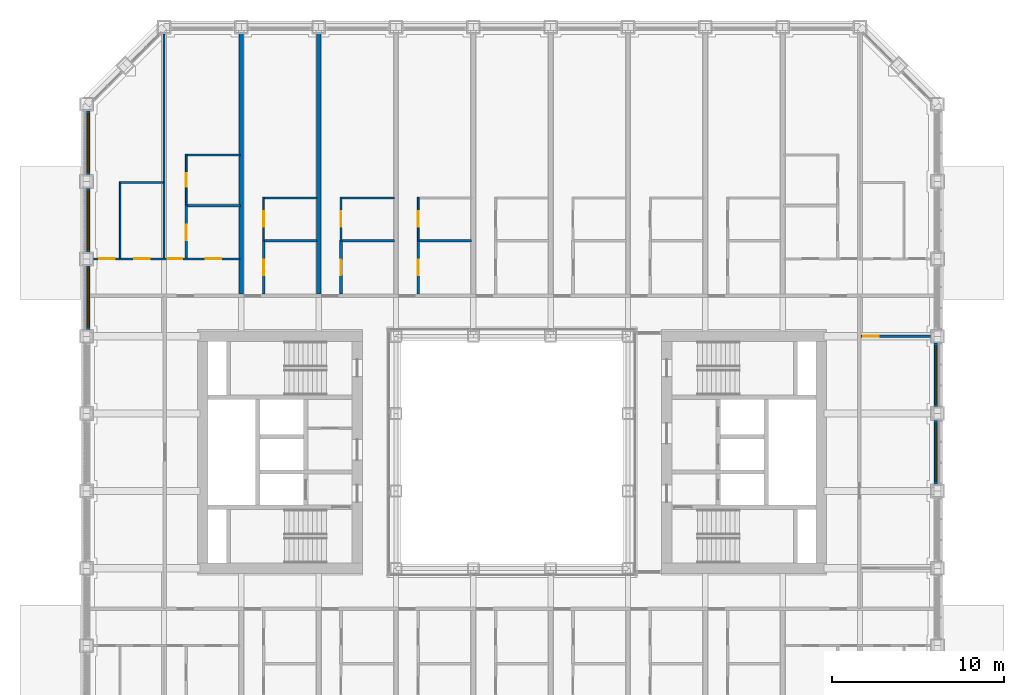
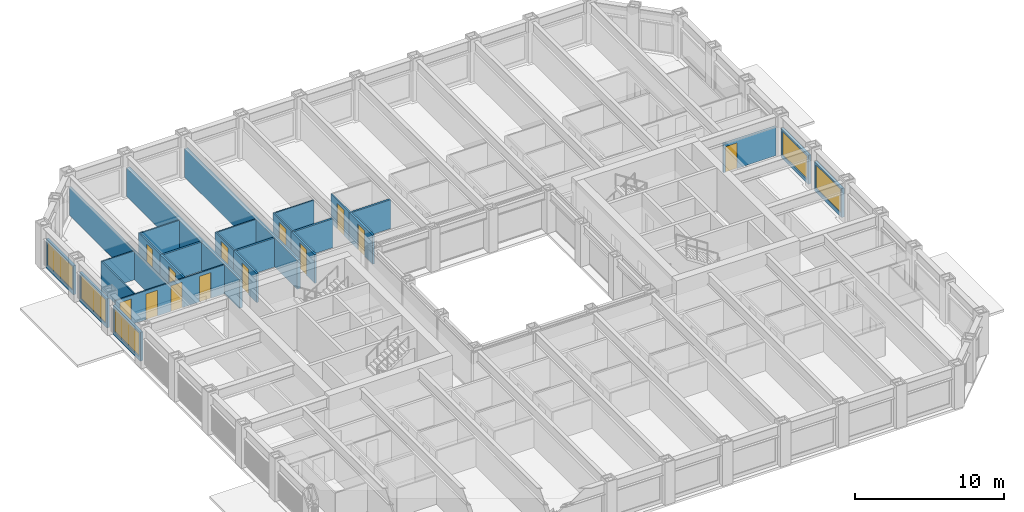
# One storey, part 16 of 24: 27 walls, 13 doors, 5 windows, 18 openings.
"""IFC4 building model written with IfcOpenShell, lengths in metres."""

import ifcopenshell
import ifcopenshell.guid

model = None  # the IFC model being written
_history = None  # IfcOwnerHistory: only IFC2X3 demands one
_inside = {}  # id of a spatial element -> (the spatial element, [elements in it])
_under = {}  # id of a project, library or spatial element -> (it, [spatial elements below it])
_declared = {}  # id of a project -> (the project, [libraries it declares])
_typed = {}  # id of a type object -> (the type object, [elements of that type])
_made_of = {}  # id of a material, layer set ... -> (it, [elements and type objects made of it])


def new_model(schema):
    """Start an empty IFC model of exactly this schema.

    Asked for "IFC4X3", IfcOpenShell would pick the latest addendum, in which some entities
    have other attributes; the version numbers below select the first issue.
    IFC2X3 requires an IfcOwnerHistory on every rooted entity: one is made here for all.
    """
    global model, _history
    if schema == "IFC4X3":
        model = ifcopenshell.file(schema_version=(4, 3, 0, 0))
    else:
        model = ifcopenshell.file(schema=schema)
    _inside.clear()
    _under.clear()
    _declared.clear()
    _typed.clear()
    _made_of.clear()
    _history = None
    if model.schema == "IFC2X3":
        org = make("IfcOrganization", Name="unknown")
        user = make(
            "IfcPersonAndOrganization",
            ThePerson=make("IfcPerson", FamilyName="unknown"),
            TheOrganization=org,
        )
        app = make(
            "IfcApplication",
            ApplicationDeveloper=org,
            Version="unknown",
            ApplicationFullName="unknown",
            ApplicationIdentifier="unknown",
        )
        _history = make(
            "IfcOwnerHistory",
            OwningUser=user,
            OwningApplication=app,
            ChangeAction="ADDED",
            CreationDate=0,
        )
    return model


def make(cls, **values):
    """One entity of the class cls with the attributes given. An attribute that is None is left unset."""
    return model.create_entity(
        cls, **{name: value for name, value in values.items() if value is not None}
    )


def rooted(cls, **values):
    """An entity with a GlobalId (a new one), such as an element, a storey or a relation."""
    return make(cls, GlobalId=ifcopenshell.guid.new(), OwnerHistory=_history, **values)


def si_unit(unit_type, name, prefix=None):
    """IfcSIUnit, for example si_unit("LENGTHUNIT", "METRE", prefix="MILLI")."""
    return make("IfcSIUnit", UnitType=unit_type, Prefix=prefix, Name=name)


def assignment(units):
    """IfcUnitAssignment: the units of a project."""
    return None if units is None else make("IfcUnitAssignment", Units=units)


def point(xyz):
    """IfcCartesianPoint."""
    return None if xyz is None else make("IfcCartesianPoint", Coordinates=xyz)


def direction(xyz):
    """IfcDirection."""
    return None if xyz is None else make("IfcDirection", DirectionRatios=xyz)


def frame(location, z_axis=None, x_axis=None):
    """IfcAxis2Placement3D, a coordinate frame: its origin and axes. An axis left out is left unset."""
    return make(
        "IfcAxis2Placement3D",
        Location=point(location),
        Axis=direction(z_axis),
        RefDirection=direction(x_axis),
    )


def frame_2d(location, x_axis=None):
    """IfcAxis2Placement2D, a coordinate frame in the plane: its origin and x axis."""
    return make(
        "IfcAxis2Placement2D", Location=point(location), RefDirection=direction(x_axis)
    )


def origin():
    """The frame at (0, 0, 0) with its axes left unset."""
    return frame((0.0, 0.0, 0.0))


def place(relative_to, where):
    """IfcLocalPlacement: puts the frame where relative to a parent placement (None: the world)."""
    return make(
        "IfcLocalPlacement", PlacementRelTo=relative_to, RelativePlacement=where
    )


def context(
    kind, dimensions, precision=None, world=None, true_north=None, identifier=None
):
    """IfcGeometricRepresentationContext, for example the 3D "Model" context."""
    return make(
        "IfcGeometricRepresentationContext",
        ContextIdentifier=identifier,
        ContextType=kind,
        CoordinateSpaceDimension=dimensions,
        Precision=precision,
        WorldCoordinateSystem=world,
        TrueNorth=true_north,
    )


def subcontext(parent, identifier, kind, view, scale=None):
    """IfcGeometricRepresentationSubContext, for example "Body" below "Model"."""
    return make(
        "IfcGeometricRepresentationSubContext",
        ContextIdentifier=identifier,
        ContextType=kind,
        ParentContext=parent,
        TargetScale=scale,
        TargetView=view,
    )


def project(units=None, contexts=None):
    """IfcProject with its units and contexts."""
    return rooted(
        "IfcProject",
        Name="project",
        RepresentationContexts=contexts,
        UnitsInContext=assignment(units),
    )


def spatial(cls, under=None, at=None, **own):
    """A site, building, storey or space (cls), placed at a placement, below another one or the project."""
    s = rooted(cls, ObjectPlacement=at, **own)
    if under is not None:
        _under.setdefault(under.id(), (under, []))[1].append(s)
    return s


def profile(cls, at=None, kind="AREA", **sizes):
    """A parametric profile (cls). Its sizes go by their IFC names, for example OverallWidth=200.0."""
    return make(cls, ProfileType=kind, Position=at, **sizes)


def rectangle(**sizes):
    """IfcRectangleProfileDef."""
    return profile("IfcRectangleProfileDef", **sizes)


def extrude(swept, where, along, depth):
    """IfcExtrudedAreaSolid: the profile swept, set in the frame where, extruded along a direction by depth."""
    return make(
        "IfcExtrudedAreaSolid",
        SweptArea=swept,
        Position=where,
        ExtrudedDirection=direction(along),
        Depth=depth,
    )


def shape(context_of_items, identifier, shape_type, items):
    """IfcShapeRepresentation: the items that make up one representation, for example the "Body"."""
    return make(
        "IfcShapeRepresentation",
        ContextOfItems=context_of_items,
        RepresentationIdentifier=identifier,
        RepresentationType=shape_type,
        Items=items,
    )


def material(Name=None, Category=None):
    """IfcMaterial."""
    return make("IfcMaterial", Name=Name, Category=Category)


def layer(
    of_material, thickness, ventilated=None, Name=None, Category=None, Priority=None
):
    """IfcMaterialLayer: one layer of a wall or slab, of a material (None: an air gap)."""
    return make(
        "IfcMaterialLayer",
        Material=of_material,
        LayerThickness=thickness,
        IsVentilated=ventilated,
        Name=Name,
        Category=Category,
        Priority=Priority,
    )


def layer_set(layers, Name=None):
    """IfcMaterialLayerSet."""
    return make("IfcMaterialLayerSet", MaterialLayers=layers, LayerSetName=Name)


def made_of(thing, what):
    """Note that an element or type object is made of a material, layer set ...; save() writes the relation."""
    if what is not None:
        _made_of.setdefault(what.id(), (what, []))[1].append(thing)
    return thing


def type_object(cls, material=None, **own):
    """A type object (cls), such as IfcWallType, which elements share."""
    return made_of(rooted(cls, **own), material)


def element(
    cls,
    number,
    at=None,
    inside=None,
    cuts=None,
    type_object=None,
    material=None,
    context=None,
    identifier="Body",
    shape_type=None,
    held_by="IfcProductDefinitionShape",
    body=None,
    shapes=None,
    **own,
):
    """One element of the class cls, such as IfcWall. Its Tag is "e" and its number.

    at: its placement. inside: the storey or other place that contains it. cuts: it is an
    opening in that element (IfcRelVoidsElement). A single representation is given by context,
    identifier, shape_type and body (its items); several are given by shapes. held_by: the class
    of the entity that holds the representations. save() writes the other relations.
    """
    e = rooted(cls, Tag="e%d" % number, ObjectPlacement=at, **own)
    if body is not None:
        shapes = [shape(context, identifier, shape_type, body)]
    if shapes is not None:
        e.Representation = make(held_by, Representations=shapes)
    if inside is not None:
        _inside.setdefault(inside.id(), (inside, []))[1].append(e)
    if cuts is not None:
        rooted(
            "IfcRelVoidsElement", RelatingBuildingElement=cuts, RelatedOpeningElement=e
        )
    if type_object is not None:
        _typed.setdefault(type_object.id(), (type_object, []))[1].append(e)
    return made_of(e, material)


def fill(opening, filler):
    """IfcRelFillsElement: the door or window that sits in an opening."""
    return rooted(
        "IfcRelFillsElement",
        RelatingOpeningElement=opening,
        RelatedBuildingElement=filler,
    )


def aggregate(whole, parts):
    """IfcRelAggregates: a whole, such as a stair, and the parts it consists of."""
    return rooted("IfcRelAggregates", RelatingObject=whole, RelatedObjects=parts)


def save(model, path):
    """Write the relations noted so far, then the file.

    IfcRelAggregates (storeys below a building ...), IfcRelContainedInSpatialStructure (elements
    in a storey), IfcRelDefinesByType, IfcRelAssociatesMaterial and IfcRelDeclares: one each for
    every whole, place, type object, material and project.
    """
    for whole, parts in _under.values():
        aggregate(whole, parts)
    for where, things in _inside.values():
        rooted(
            "IfcRelContainedInSpatialStructure",
            RelatedElements=things,
            RelatingStructure=where,
        )
    for kind, things in _typed.values():
        rooted("IfcRelDefinesByType", RelatedObjects=things, RelatingType=kind)
    for what, things in _made_of.values():
        rooted("IfcRelAssociatesMaterial", RelatedObjects=things, RelatingMaterial=what)
    for by, libraries in _declared.values():
        rooted("IfcRelDeclares", RelatingContext=by, RelatedDefinitions=libraries)
    model.write(path)


model = new_model("IFC4")

# Units and contexts
model_context = context("Model", 3, precision=1e-05, world=origin(), true_north=direction((0.0, 1.0)))
body_context = subcontext(model_context, "Body", "Model", "MODEL_VIEW")
ifc_project = project(units=[si_unit("LENGTHUNIT", "METRE"), si_unit("AREAUNIT", "SQUARE_METRE"), si_unit("VOLUMEUNIT", "CUBIC_METRE"), si_unit("PLANEANGLEUNIT", "RADIAN"), si_unit("MASSUNIT", "GRAM", prefix="KILO")], contexts=[model_context])

# Site, building, storey
site_placement = place(None, origin())
site = spatial("IfcSite", under=ifc_project, at=site_placement, CompositionType="ELEMENT")
building_placement = place(site_placement, origin())
building = spatial("IfcBuilding", under=site, at=building_placement, Name="Msasa Ring Tower", CompositionType="ELEMENT")
storey_placement = place(building_placement, frame((0.0, 0.0, 26.5)))
storey = spatial("IfcBuildingStorey", under=building, at=storey_placement, Name="L05", CompositionType="ELEMENT", Elevation=26.5)

# Wall, opening, window
ifc_material_1 = material(Name="Terracotta rainscreen on blockwork", Category="masonry")
ifc_layer_1 = layer(ifc_material_1, 0.199951171875)
ifc_layer_set_1 = layer_set([ifc_layer_1], Name="FW1 TERRACOTTA-LINED INFILL BAY WALL 200")
wall_type_1 = type_object("IfcWallType", Name="FW1 TERRACOTTA-LINED INFILL BAY WALL 200", PredefinedType="SOLIDWALL", material=ifc_layer_set_1)
wall_1_placement = place(storey_placement, frame((24.64990234375, -1.844970703125, 0.0), z_axis=(0.0, 0.0, 1.0), x_axis=(0.0, 1.0, 0.0)))
wall_1 = element("IfcWall", 1, at=wall_1_placement, inside=storey, type_object=wall_type_1, Name="Infill bay wall E L05 15", PredefinedType="SOLIDWALL", context=body_context, shape_type="SweptSolid", body=[
    extrude(rectangle(XDim=3.68994140625, YDim=0.199951171875, at=frame_2d((1.844970703125, 0.0))), origin(), (0.0, 0.0, 1.0), 2.37890625),
])
opening_1_placement = place(wall_1_placement, frame((0.14501953125, 0.0, 0.300048828125)))
opening_1 = element("IfcOpeningElement", 2, at=opening_1_placement, cuts=wall_1, Name="Opening WN1", PredefinedType="OPENING", context=body_context, shape_type="SweptSolid", body=[
    extrude(rectangle(XDim=3.39990234375, YDim=1.928955078125, at=frame_2d((1.699951171875, 0.96435546875))), frame((0.0, 0.10986328125, 0.0), z_axis=(0.0, -1.0, 0.0), x_axis=(1.0, 0.0, 0.0)), (0.0, 0.0, 1.0), 0.219970703125),
])
ifc_material_2 = material(Name="Aluminium frame with clear glass", Category="aluminium")
window_type = type_object("IfcWindowType", Name="WN1 RESIDENCE WINDOW 3400x1929", PartitioningType="SINGLE_PANEL", PredefinedType="WINDOW", material=ifc_material_2)
window_1_placement = place(opening_1_placement, origin())
window_1 = element("IfcWindow", 3, at=window_1_placement, inside=storey, type_object=window_type, Name="Window E L05 15", OverallHeight=1.928955078125, OverallWidth=3.39990234375, PartitioningType="SINGLE_PANEL", PredefinedType="WINDOW", context=body_context, shape_type="SweptSolid", body=[
    extrude(rectangle(XDim=3.39990234375, YDim=1.928955078125, at=frame_2d((1.699951171875, 0.96435546875))), frame((0.0, 0.030029296875, 0.0), z_axis=(0.0, -1.0, 0.0), x_axis=(1.0, 0.0, 0.0)), (0.0, 0.0, 1.0), 0.06005859375),
])
fill(opening_1, window_1)

wall_2_placement = place(storey_placement, frame((24.64990234375, 2.655029296875, 0.0), z_axis=(0.0, 0.0, 1.0), x_axis=(0.0, 1.0, 0.0)))
wall_2 = element("IfcWall", 4, at=wall_2_placement, inside=storey, type_object=wall_type_1, Name="Infill bay wall E L05 16", PredefinedType="SOLIDWALL", context=body_context, shape_type="SweptSolid", body=[
    extrude(rectangle(XDim=3.68994140625, YDim=0.199951171875, at=frame_2d((1.844970703125, 0.0))), origin(), (0.0, 0.0, 1.0), 2.37890625),
])
opening_2_placement = place(wall_2_placement, frame((0.14501953125, 0.0, 0.300048828125)))
opening_2 = element("IfcOpeningElement", 5, at=opening_2_placement, cuts=wall_2, Name="Opening WN1", PredefinedType="OPENING", context=body_context, shape_type="SweptSolid", body=[
    extrude(rectangle(XDim=3.39990234375, YDim=1.928955078125, at=frame_2d((1.699951171875, 0.96435546875))), frame((0.0, 0.10986328125, 0.0), z_axis=(0.0, -1.0, 0.0), x_axis=(1.0, 0.0, 0.0)), (0.0, 0.0, 1.0), 0.219970703125),
])
window_2_placement = place(opening_2_placement, origin())
window_2 = element("IfcWindow", 6, at=window_2_placement, inside=storey, type_object=window_type, Name="Window E L05 16", OverallHeight=1.928955078125, OverallWidth=3.39990234375, PartitioningType="SINGLE_PANEL", PredefinedType="WINDOW", context=body_context, shape_type="SweptSolid", body=[
    extrude(rectangle(XDim=3.39990234375, YDim=1.928955078125, at=frame_2d((1.699951171875, 0.96435546875))), frame((0.0, 0.030029296875, 0.0), z_axis=(0.0, -1.0, 0.0), x_axis=(1.0, 0.0, 0.0)), (0.0, 0.0, 1.0), 0.06005859375),
])
fill(opening_2, window_2)

wall_3_placement = place(storey_placement, frame((-24.64990234375, 7.155029296875, 0.0), z_axis=(0.0, 0.0, 1.0), x_axis=(0.0, 1.0, 0.0)))
wall_3 = element("IfcWall", 7, at=wall_3_placement, inside=storey, type_object=wall_type_1, Name="Infill bay wall W L05 39", PredefinedType="SOLIDWALL", context=body_context, shape_type="SweptSolid", body=[
    extrude(rectangle(XDim=3.68994140625, YDim=0.199951171875, at=frame_2d((1.844970703125, 0.0))), origin(), (0.0, 0.0, 1.0), 2.37890625),
])
opening_3_placement = place(wall_3_placement, frame((0.14501953125, 0.0, 0.300048828125)))
opening_3 = element("IfcOpeningElement", 8, at=opening_3_placement, cuts=wall_3, Name="Opening WN1", PredefinedType="OPENING", context=body_context, shape_type="SweptSolid", body=[
    extrude(rectangle(XDim=3.39990234375, YDim=1.928955078125, at=frame_2d((1.699951171875, 0.96435546875))), frame((0.0, 0.10986328125, 0.0), z_axis=(0.0, -1.0, 0.0), x_axis=(1.0, 0.0, 0.0)), (0.0, 0.0, 1.0), 0.219970703125),
])
window_3_placement = place(opening_3_placement, origin())
window_3 = element("IfcWindow", 9, at=window_3_placement, inside=storey, type_object=window_type, Name="Window W L05 39", OverallHeight=1.928955078125, OverallWidth=3.39990234375, PartitioningType="SINGLE_PANEL", PredefinedType="WINDOW", context=body_context, shape_type="SweptSolid", body=[
    extrude(rectangle(XDim=3.39990234375, YDim=1.928955078125, at=frame_2d((1.699951171875, 0.96435546875))), frame((0.0, 0.030029296875, 0.0), z_axis=(0.0, -1.0, 0.0), x_axis=(1.0, 0.0, 0.0)), (0.0, 0.0, 1.0), 0.06005859375),
])
fill(opening_3, window_3)

wall_4_placement = place(storey_placement, frame((-24.64990234375, 11.655029296875, 0.0), z_axis=(0.0, 0.0, 1.0), x_axis=(0.0, 1.0, 0.0)))
wall_4 = element("IfcWall", 10, at=wall_4_placement, inside=storey, type_object=wall_type_1, Name="Infill bay wall W L05 40", PredefinedType="SOLIDWALL", context=body_context, shape_type="SweptSolid", body=[
    extrude(rectangle(XDim=3.68994140625, YDim=0.199951171875, at=frame_2d((1.844970703125, 0.0))), origin(), (0.0, 0.0, 1.0), 2.37890625),
])
opening_4_placement = place(wall_4_placement, frame((0.14501953125, 0.0, 0.300048828125)))
opening_4 = element("IfcOpeningElement", 11, at=opening_4_placement, cuts=wall_4, Name="Opening WN1", PredefinedType="OPENING", context=body_context, shape_type="SweptSolid", body=[
    extrude(rectangle(XDim=3.39990234375, YDim=1.928955078125, at=frame_2d((1.699951171875, 0.96435546875))), frame((0.0, 0.10986328125, 0.0), z_axis=(0.0, -1.0, 0.0), x_axis=(1.0, 0.0, 0.0)), (0.0, 0.0, 1.0), 0.219970703125),
])
window_4_placement = place(opening_4_placement, origin())
window_4 = element("IfcWindow", 12, at=window_4_placement, inside=storey, type_object=window_type, Name="Window W L05 40", OverallHeight=1.928955078125, OverallWidth=3.39990234375, PartitioningType="SINGLE_PANEL", PredefinedType="WINDOW", context=body_context, shape_type="SweptSolid", body=[
    extrude(rectangle(XDim=3.39990234375, YDim=1.928955078125, at=frame_2d((1.699951171875, 0.96435546875))), frame((0.0, 0.030029296875, 0.0), z_axis=(0.0, -1.0, 0.0), x_axis=(1.0, 0.0, 0.0)), (0.0, 0.0, 1.0), 0.06005859375),
])
fill(opening_4, window_4)

wall_5_placement = place(storey_placement, frame((-24.64990234375, 16.155029296875, 0.0), z_axis=(0.0, 0.0, 1.0), x_axis=(0.0, 1.0, 0.0)))
wall_5 = element("IfcWall", 13, at=wall_5_placement, inside=storey, type_object=wall_type_1, Name="Infill bay wall W L05 41", PredefinedType="SOLIDWALL", context=body_context, shape_type="SweptSolid", body=[
    extrude(rectangle(XDim=3.68994140625, YDim=0.199951171875, at=frame_2d((1.844970703125, 0.0))), origin(), (0.0, 0.0, 1.0), 2.37890625),
])
opening_5_placement = place(wall_5_placement, frame((0.14501953125, 0.0, 0.300048828125)))
opening_5 = element("IfcOpeningElement", 14, at=opening_5_placement, cuts=wall_5, Name="Opening WN1", PredefinedType="OPENING", context=body_context, shape_type="SweptSolid", body=[
    extrude(rectangle(XDim=3.39990234375, YDim=1.928955078125, at=frame_2d((1.699951171875, 0.96435546875))), frame((0.0, 0.10986328125, 0.0), z_axis=(0.0, -1.0, 0.0), x_axis=(1.0, 0.0, 0.0)), (0.0, 0.0, 1.0), 0.219970703125),
])
window_5_placement = place(opening_5_placement, origin())
window_5 = element("IfcWindow", 15, at=window_5_placement, inside=storey, type_object=window_type, Name="Window W L05 41", OverallHeight=1.928955078125, OverallWidth=3.39990234375, PartitioningType="SINGLE_PANEL", PredefinedType="WINDOW", context=body_context, shape_type="SweptSolid", body=[
    extrude(rectangle(XDim=3.39990234375, YDim=1.928955078125, at=frame_2d((1.699951171875, 0.96435546875))), frame((0.0, 0.030029296875, 0.0), z_axis=(0.0, -1.0, 0.0), x_axis=(1.0, 0.0, 0.0)), (0.0, 0.0, 1.0), 0.06005859375),
])
fill(opening_5, window_5)

# Wall, openings, doors
ifc_material_3 = material(Name="Gypsum board on steel studs", Category="steel")
ifc_layer_2 = layer(ifc_material_3, 0.10009765625)
ifc_layer_set_2 = layer_set([ifc_layer_2], Name="PT2 STUD PARTITION 100")
wall_type_2 = type_object("IfcWallType", Name="PT2 STUD PARTITION 100", PredefinedType="PARTITIONING", material=ifc_layer_set_2)
wall_6_placement = place(storey_placement, frame((-24.35009765625, 11.25, 0.0), z_axis=(0.0, 0.0, 1.0), x_axis=(1.0, 0.0, 0.0)))
wall_6 = element("IfcWall", 16, at=wall_6_placement, inside=storey, type_object=wall_type_2, Name="Partition L05-UN00HY", PredefinedType="PARTITIONING", context=body_context, shape_type="SweptSolid", body=[
    extrude(rectangle(XDim=8.5, YDim=0.10009765625, at=frame_2d((4.25, 0.0))), origin(), (0.0, 0.0, 1.0), 2.373291015625),
])
opening_6_placement = place(wall_6_placement, frame((2.375, 0.0, 0.0)))
opening_6 = element("IfcOpeningElement", 17, at=opening_6_placement, cuts=wall_6, Name="Opening RA-013", PredefinedType="OPENING", context=body_context, shape_type="SweptSolid", body=[
    extrude(rectangle(XDim=0.89990234375, YDim=2.10009765625, at=frame_2d((0.449951171875, 1.050048828125))), frame((0.0, 0.06005859375, 0.0), z_axis=(0.0, -1.0, 0.0), x_axis=(1.0, 0.0, 0.0)), (0.0, 0.0, 1.0), 0.1201171875),
])
opening_7_placement = place(wall_6_placement, frame((0.35009765625, 0.0, 0.0)))
opening_7 = element("IfcOpeningElement", 18, at=opening_7_placement, cuts=wall_6, Name="Opening RA-012", PredefinedType="OPENING", context=body_context, shape_type="SweptSolid", body=[
    extrude(rectangle(XDim=0.89990234375, YDim=2.10009765625, at=frame_2d((0.449951171875, 1.050048828125))), frame((0.0, 0.06005859375, 0.0), z_axis=(0.0, -1.0, 0.0), x_axis=(1.0, 0.0, 0.0)), (0.0, 0.0, 1.0), 0.1201171875),
])
opening_8_placement = place(wall_6_placement, frame((4.324951171875, 0.0, 0.0)))
opening_8 = element("IfcOpeningElement", 19, at=opening_8_placement, cuts=wall_6, Name="Opening RA-014", PredefinedType="OPENING", context=body_context, shape_type="SweptSolid", body=[
    extrude(rectangle(XDim=0.85009765625, YDim=2.10009765625, at=frame_2d((0.425048828125, 1.050048828125))), frame((0.0, 0.06005859375, 0.0), z_axis=(0.0, -1.0, 0.0), x_axis=(1.0, 0.0, 0.0)), (0.0, 0.0, 1.0), 0.1201171875),
])
opening_9_placement = place(wall_6_placement, frame((6.52001953125, 0.0, 0.0)))
opening_9 = element("IfcOpeningElement", 20, at=opening_9_placement, cuts=wall_6, Name="Opening RA-015", PredefinedType="OPENING", context=body_context, shape_type="SweptSolid", body=[
    extrude(rectangle(XDim=0.89990234375, YDim=2.10009765625, at=frame_2d((0.449951171875, 1.050048828125))), frame((0.0, 0.06005859375, 0.0), z_axis=(0.0, -1.0, 0.0), x_axis=(1.0, 0.0, 0.0)), (0.0, 0.0, 1.0), 0.1201171875),
])
ifc_material_4 = material(Name="Timber door leaf in a steel frame", Category="steel")
door_type_1 = type_object("IfcDoorType", Name="D14 BEDROOM DOOR 850x2100", OperationType="SINGLE_SWING_LEFT", PredefinedType="DOOR", material=ifc_material_4)
door_1_placement = place(opening_8_placement, origin())
door_1 = element("IfcDoor", 21, at=door_1_placement, inside=storey, type_object=door_type_1, Name="Door L05-UN00R1", OperationType="SINGLE_SWING_RIGHT", OverallHeight=2.10009765625, OverallWidth=0.85009765625, PredefinedType="DOOR", context=body_context, shape_type="SweptSolid", body=[
    extrude(rectangle(XDim=0.85009765625, YDim=2.10009765625, at=frame_2d((0.425048828125, 1.050048828125))), frame((0.0, 0.02490234375, 0.0), z_axis=(0.0, -1.0, 0.0), x_axis=(1.0, 0.0, 0.0)), (0.0, 0.0, 1.0), 0.050048828125),
])
fill(opening_8, door_1)
ifc_material_5 = material(Name="Timber door leaf in a steel frame", Category="steel")
door_type_2 = type_object("IfcDoorType", Name="D22 INTERNAL HALL DOOR 900x2100", OperationType="SINGLE_SWING_LEFT", PredefinedType="DOOR", material=ifc_material_5)
door_2_placement = place(opening_6_placement, origin())
door_2 = element("IfcDoor", 22, at=door_2_placement, inside=storey, type_object=door_type_2, Name="Door L05-UN00K", OperationType="SINGLE_SWING_LEFT", OverallHeight=2.10009765625, OverallWidth=0.89990234375, PredefinedType="DOOR", context=body_context, shape_type="SweptSolid", body=[
    extrude(rectangle(XDim=0.89990234375, YDim=2.10009765625, at=frame_2d((0.449951171875, 1.050048828125))), frame((0.0, 0.02490234375, 0.0), z_axis=(0.0, -1.0, 0.0), x_axis=(1.0, 0.0, 0.0)), (0.0, 0.0, 1.0), 0.050048828125),
])
fill(opening_6, door_2)
door_3_placement = place(opening_7_placement, origin())
door_3 = element("IfcDoor", 23, at=door_3_placement, inside=storey, type_object=door_type_2, Name="Door L05-UN00L", OperationType="SINGLE_SWING_LEFT", OverallHeight=2.10009765625, OverallWidth=0.89990234375, PredefinedType="DOOR", context=body_context, shape_type="SweptSolid", body=[
    extrude(rectangle(XDim=0.89990234375, YDim=2.10009765625, at=frame_2d((0.449951171875, 1.050048828125))), frame((0.0, 0.02490234375, 0.0), z_axis=(0.0, -1.0, 0.0), x_axis=(1.0, 0.0, 0.0)), (0.0, 0.0, 1.0), 0.050048828125),
])
fill(opening_7, door_3)
ifc_material_6 = material(Name="Timber door leaf in a steel frame", Category="steel")
door_type_3 = type_object("IfcDoorType", Name="D3 BATHROOM DOOR 900x2100", OperationType="SINGLE_SWING_LEFT", PredefinedType="DOOR", material=ifc_material_6)
door_4_placement = place(opening_9_placement, origin())
door_4 = element("IfcDoor", 24, at=door_4_placement, inside=storey, type_object=door_type_3, Name="Door L05-UN00BH1", OperationType="SINGLE_SWING_RIGHT", OverallHeight=2.10009765625, OverallWidth=0.89990234375, PredefinedType="DOOR", context=body_context, shape_type="SweptSolid", body=[
    extrude(rectangle(XDim=0.89990234375, YDim=2.10009765625, at=frame_2d((0.449951171875, 1.050048828125))), frame((0.0, 0.02490234375, 0.0), z_axis=(0.0, -1.0, 0.0), x_axis=(1.0, 0.0, 0.0)), (0.0, 0.0, 1.0), 0.050048828125),
])
fill(opening_9, door_4)

# Walls
wall_7_placement = place(storey_placement, frame((-22.800048828125, 11.300048828125, 0.0), z_axis=(0.0, 0.0, 1.0), x_axis=(0.0, 1.0, 0.0)))
element("IfcWall", 25, at=wall_7_placement, inside=storey, type_object=wall_type_2, Name="Partition L05-UN00KX", PredefinedType="PARTITIONING", context=body_context, shape_type="SweptSolid", body=[
    extrude(rectangle(XDim=4.442138671875, YDim=0.10009765625, at=frame_2d((2.22119140625, 0.0))), origin(), (0.0, 0.0, 1.0), 2.373291015625),
])
wall_8_placement = place(storey_placement, frame((-22.800048828125, 15.692138671875, 0.0), z_axis=(0.0, 0.0, 1.0), x_axis=(1.0, 0.0, 0.0)))
element("IfcWall", 26, at=wall_8_placement, inside=storey, type_object=wall_type_2, Name="Partition L05-UN00KY", PredefinedType="PARTITIONING", context=body_context, shape_type="SweptSolid", body=[
    extrude(rectangle(XDim=2.5, YDim=0.10009765625, at=frame_2d((1.25, 0.0))), origin(), (0.0, 0.0, 1.0), 2.373291015625),
])
wall_9_placement = place(storey_placement, frame((-20.25, 11.300048828125, 0.0), z_axis=(0.0, 0.0, 1.0), x_axis=(0.0, 1.0, 0.0)))
element("IfcWall", 27, at=wall_9_placement, inside=storey, type_object=wall_type_2, Name="Partition L05-UN00P1", PredefinedType="PARTITIONING", context=body_context, shape_type="SweptSolid", body=[
    extrude(rectangle(XDim=13.050048828125, YDim=0.10009765625, at=frame_2d((6.52490234375, 0.0))), origin(), (0.0, 0.0, 1.0), 2.373291015625),
])

# Wall, opening, door
wall_10_placement = place(storey_placement, frame((-18.949951171875, 14.39990234375, 0.0), z_axis=(0.0, 0.0, 1.0), x_axis=(0.0, 1.0, 0.0)))
wall_10 = element("IfcWall", 28, at=wall_10_placement, inside=storey, type_object=wall_type_2, Name="Partition L05-UN00WX1", PredefinedType="PARTITIONING", context=body_context, shape_type="SweptSolid", body=[
    extrude(rectangle(XDim=2.94091796875, YDim=0.10009765625, at=frame_2d((1.470458984375, 0.0))), origin(), (0.0, 0.0, 1.0), 2.373291015625),
])
opening_10_placement = place(wall_10_placement, frame((1.04541015625, 0.0, 0.0)))
opening_10 = element("IfcOpeningElement", 29, at=opening_10_placement, cuts=wall_10, Name="Opening RA-001", PredefinedType="OPENING", context=body_context, shape_type="SweptSolid", body=[
    extrude(rectangle(XDim=0.800048828125, YDim=2.10009765625, at=frame_2d((0.39990234375, 1.050048828125))), frame((0.0, 0.06005859375, 0.0), z_axis=(0.0, -1.0, 0.0), x_axis=(1.0, 0.0, 0.0)), (0.0, 0.0, 1.0), 0.1201171875),
])
ifc_material_7 = material(Name="Timber door leaf in a steel frame", Category="steel")
door_type_4 = type_object("IfcDoorType", Name="D60 DRESSING ROOM DOOR 800x2100", OperationType="SINGLE_SWING_LEFT", PredefinedType="DOOR", material=ifc_material_7)
door_5_placement = place(opening_10_placement, origin())
door_5 = element("IfcDoor", 30, at=door_5_placement, inside=storey, type_object=door_type_4, Name="Door L05-UN00W1", OperationType="SINGLE_SWING_LEFT", OverallHeight=2.10009765625, OverallWidth=0.800048828125, PredefinedType="DOOR", context=body_context, shape_type="SweptSolid", body=[
    extrude(rectangle(XDim=0.800048828125, YDim=2.10009765625, at=frame_2d((0.39990234375, 1.050048828125))), frame((0.0, 0.02490234375, 0.0), z_axis=(0.0, -1.0, 0.0), x_axis=(1.0, 0.0, 0.0)), (0.0, 0.0, 1.0), 0.050048828125),
])
fill(opening_10, door_5)

# Walls
wall_11_placement = place(storey_placement, frame((-18.949951171875, 17.291015625, 0.0), z_axis=(0.0, 0.0, 1.0), x_axis=(1.0, 0.0, 0.0)))
element("IfcWall", 31, at=wall_11_placement, inside=storey, type_object=wall_type_2, Name="Partition L05-UN00WY1", PredefinedType="PARTITIONING", context=body_context, shape_type="SweptSolid", body=[
    extrude(rectangle(XDim=3.139892578125, YDim=0.10009765625, at=frame_2d((1.56982421875, 0.0))), origin(), (0.0, 0.0, 1.0), 2.373291015625),
])
wall_12_placement = place(storey_placement, frame((-14.39990234375, 14.800048828125, 0.0), z_axis=(0.0, 0.0, 1.0), x_axis=(1.0, 0.0, 0.0)))
element("IfcWall", 32, at=wall_12_placement, inside=storey, type_object=wall_type_2, Name="Partition L05-UN01KY", PredefinedType="PARTITIONING", context=body_context, shape_type="SweptSolid", body=[
    extrude(rectangle(XDim=3.0498046875, YDim=0.10009765625, at=frame_2d((1.52490234375, 0.0))), origin(), (0.0, 0.0, 1.0), 2.373291015625),
])

# Wall, opening, door
wall_13_placement = place(storey_placement, frame((-14.449951171875, 12.300048828125, 0.0), z_axis=(0.0, 0.0, 1.0), x_axis=(0.0, 1.0, 0.0)))
wall_13 = element("IfcWall", 33, at=wall_13_placement, inside=storey, type_object=wall_type_2, Name="Partition L05-UN01KX", PredefinedType="PARTITIONING", context=body_context, shape_type="SweptSolid", body=[
    extrude(rectangle(XDim=2.550048828125, YDim=0.10009765625, at=frame_2d((1.27490234375, 0.0))), origin(), (0.0, 0.0, 1.0), 2.373291015625),
])
opening_11_placement = place(wall_13_placement, frame((0.81005859375, 0.0, 0.0)))
opening_11 = element("IfcOpeningElement", 34, at=opening_11_placement, cuts=wall_13, Name="Opening RA-003", PredefinedType="OPENING", context=body_context, shape_type="SweptSolid", body=[
    extrude(rectangle(XDim=0.89990234375, YDim=2.10009765625, at=frame_2d((0.449951171875, 1.050048828125))), frame((0.0, 0.06005859375, 0.0), z_axis=(0.0, -1.0, 0.0), x_axis=(1.0, 0.0, 0.0)), (0.0, 0.0, 1.0), 0.1201171875),
])
door_6_placement = place(opening_11_placement, origin())
door_6 = element("IfcDoor", 35, at=door_6_placement, inside=storey, type_object=door_type_2, Name="Door L05-UN01K", OperationType="SINGLE_SWING_LEFT", OverallHeight=2.10009765625, OverallWidth=0.89990234375, PredefinedType="DOOR", context=body_context, shape_type="SweptSolid", body=[
    extrude(rectangle(XDim=0.89990234375, YDim=2.10009765625, at=frame_2d((0.449951171875, 1.050048828125))), frame((0.0, 0.02490234375, 0.0), z_axis=(0.0, -1.0, 0.0), x_axis=(1.0, 0.0, 0.0)), (0.0, 0.0, 1.0), 0.050048828125),
])
fill(opening_11, door_6)

# Wall
wall_14_placement = place(storey_placement, frame((-9.89990234375, 14.800048828125, 0.0), z_axis=(0.0, 0.0, 1.0), x_axis=(1.0, 0.0, 0.0)))
element("IfcWall", 36, at=wall_14_placement, inside=storey, type_object=wall_type_2, Name="Partition L05-UN02KY", PredefinedType="PARTITIONING", context=body_context, shape_type="SweptSolid", body=[
    extrude(rectangle(XDim=3.0498046875, YDim=0.10009765625, at=frame_2d((1.52490234375, 0.0))), origin(), (0.0, 0.0, 1.0), 2.373291015625),
])

# Wall, opening, door
wall_15_placement = place(storey_placement, frame((-9.949951171875, 12.300048828125, 0.0), z_axis=(0.0, 0.0, 1.0), x_axis=(0.0, 1.0, 0.0)))
wall_15 = element("IfcWall", 37, at=wall_15_placement, inside=storey, type_object=wall_type_2, Name="Partition L05-UN02KX", PredefinedType="PARTITIONING", context=body_context, shape_type="SweptSolid", body=[
    extrude(rectangle(XDim=2.550048828125, YDim=0.10009765625, at=frame_2d((1.27490234375, 0.0))), origin(), (0.0, 0.0, 1.0), 2.373291015625),
])
opening_12_placement = place(wall_15_placement, frame((0.81005859375, 0.0, 0.0)))
opening_12 = element("IfcOpeningElement", 38, at=opening_12_placement, cuts=wall_15, Name="Opening RA-004", PredefinedType="OPENING", context=body_context, shape_type="SweptSolid", body=[
    extrude(rectangle(XDim=0.89990234375, YDim=2.10009765625, at=frame_2d((0.449951171875, 1.050048828125))), frame((0.0, 0.06005859375, 0.0), z_axis=(0.0, -1.0, 0.0), x_axis=(1.0, 0.0, 0.0)), (0.0, 0.0, 1.0), 0.1201171875),
])
door_7_placement = place(opening_12_placement, origin())
door_7 = element("IfcDoor", 39, at=door_7_placement, inside=storey, type_object=door_type_2, Name="Door L05-UN02K", OperationType="SINGLE_SWING_LEFT", OverallHeight=2.10009765625, OverallWidth=0.89990234375, PredefinedType="DOOR", context=body_context, shape_type="SweptSolid", body=[
    extrude(rectangle(XDim=0.89990234375, YDim=2.10009765625, at=frame_2d((0.449951171875, 1.050048828125))), frame((0.0, 0.02490234375, 0.0), z_axis=(0.0, -1.0, 0.0), x_axis=(1.0, 0.0, 0.0)), (0.0, 0.0, 1.0), 0.050048828125),
])
fill(opening_12, door_7)

wall_16_placement = place(storey_placement, frame((-5.449951171875, 12.300048828125, 0.0), z_axis=(0.0, 0.0, 1.0), x_axis=(0.0, 1.0, 0.0)))
wall_16 = element("IfcWall", 40, at=wall_16_placement, inside=storey, type_object=wall_type_2, Name="Partition L05-UN03KX", PredefinedType="PARTITIONING", context=body_context, shape_type="SweptSolid", body=[
    extrude(rectangle(XDim=2.550048828125, YDim=0.10009765625, at=frame_2d((1.27490234375, 0.0))), origin(), (0.0, 0.0, 1.0), 2.373291015625),
])
opening_13_placement = place(wall_16_placement, frame((0.81005859375, 0.0, 0.0)))
opening_13 = element("IfcOpeningElement", 41, at=opening_13_placement, cuts=wall_16, Name="Opening RA-005", PredefinedType="OPENING", context=body_context, shape_type="SweptSolid", body=[
    extrude(rectangle(XDim=0.89990234375, YDim=2.10009765625, at=frame_2d((0.449951171875, 1.050048828125))), frame((0.0, 0.06005859375, 0.0), z_axis=(0.0, -1.0, 0.0), x_axis=(1.0, 0.0, 0.0)), (0.0, 0.0, 1.0), 0.1201171875),
])
door_8_placement = place(opening_13_placement, origin())
door_8 = element("IfcDoor", 42, at=door_8_placement, inside=storey, type_object=door_type_2, Name="Door L05-UN03K", OperationType="SINGLE_SWING_LEFT", OverallHeight=2.10009765625, OverallWidth=0.89990234375, PredefinedType="DOOR", context=body_context, shape_type="SweptSolid", body=[
    extrude(rectangle(XDim=0.89990234375, YDim=2.10009765625, at=frame_2d((0.449951171875, 1.050048828125))), frame((0.0, 0.02490234375, 0.0), z_axis=(0.0, -1.0, 0.0), x_axis=(1.0, 0.0, 0.0)), (0.0, 0.0, 1.0), 0.050048828125),
])
fill(opening_13, door_8)

# Walls
ifc_material_8 = material(Name="Dense concrete blockwork, plastered both faces", Category="masonry")
ifc_layer_3 = layer(ifc_material_8, 0.25)
ifc_layer_set_3 = layer_set([ifc_layer_3], Name="PT3 APARTMENT SEPARATING WALL 250")
wall_type_3 = type_object("IfcWallType", Name="PT3 APARTMENT SEPARATING WALL 250", PredefinedType="PARTITIONING", material=ifc_layer_set_3)
for number, where, z_axis, x_axis, name in (
    (43, (-15.75, 9.199951171875, 0.0), (0.0, 0.0, 1.0), (0.0, 1.0, 0.0), "Party wall L05-PWN-15.75"),
    (44, (-11.25, 9.199951171875, 0.0), (0.0, 0.0, 1.0), (0.0, 1.0, 0.0), "Party wall L05-PWN-11.25"),
):
    element("IfcWall", number, at=place(storey_placement, frame(where, z_axis=z_axis, x_axis=x_axis)), inside=storey, type_object=wall_type_3, Name=name, PredefinedType="PARTITIONING", context=body_context, shape_type="SweptSolid", body=[
        extrude(rectangle(XDim=15.150146484375, YDim=0.25, at=frame_2d((7.5751953125, 0.0))), origin(), (0.0, 0.0, 1.0), 2.373291015625),
    ])

# Wall, opening, door
ifc_material_9 = material(Name="Moisture-resistant board on steel studs with a concealed cistern and pipe void, tiled", Category="steel")
ifc_layer_4 = layer(ifc_material_9, 0.14990234375)
ifc_layer_set_4 = layer_set([ifc_layer_4], Name="PT4 BATHROOM WET WALL 150")
wall_type_4 = type_object("IfcWallType", Name="PT4 BATHROOM WET WALL 150", PredefinedType="PARTITIONING", material=ifc_layer_set_4)
wall_17_placement = place(storey_placement, frame((-18.949951171875, 11.300048828125, 0.0), z_axis=(0.0, 0.0, 1.0), x_axis=(0.0, 1.0, 0.0)))
wall_17 = element("IfcWall", 45, at=wall_17_placement, inside=storey, type_object=wall_type_4, Name="Partition L05-UN00BX1", PredefinedType="PARTITIONING", context=body_context, shape_type="SweptSolid", body=[
    extrude(rectangle(XDim=3.099853515625, YDim=0.14990234375, at=frame_2d((1.5498046875, 0.0))), origin(), (0.0, 0.0, 1.0), 2.373291015625),
])
opening_14_placement = place(wall_17_placement, frame((1.050048828125, 0.0, 0.0)))
opening_14 = element("IfcOpeningElement", 46, at=opening_14_placement, cuts=wall_17, Name="Opening RA-010", PredefinedType="OPENING", context=body_context, shape_type="SweptSolid", body=[
    extrude(rectangle(XDim=0.89990234375, YDim=2.10009765625, at=frame_2d((0.449951171875, 1.050048828125))), frame((0.0, 0.0849609375, 0.0), z_axis=(0.0, -1.0, 0.0), x_axis=(1.0, 0.0, 0.0)), (0.0, 0.0, 1.0), 0.169921875),
])
door_9_placement = place(opening_14_placement, origin())
door_9 = element("IfcDoor", 47, at=door_9_placement, inside=storey, type_object=door_type_3, Name="Door L05-UN00B1", OperationType="SINGLE_SWING_LEFT", OverallHeight=2.10009765625, OverallWidth=0.89990234375, PredefinedType="DOOR", context=body_context, shape_type="SweptSolid", body=[
    extrude(rectangle(XDim=0.89990234375, YDim=2.10009765625, at=frame_2d((0.449951171875, 1.050048828125))), frame((0.0, 0.02490234375, 0.0), z_axis=(0.0, -1.0, 0.0), x_axis=(1.0, 0.0, 0.0)), (0.0, 0.0, 1.0), 0.050048828125),
])
fill(opening_14, door_9)

# Wall
wall_18_placement = place(storey_placement, frame((-18.949951171875, 14.35009765625, 0.0), z_axis=(0.0, 0.0, 1.0), x_axis=(1.0, 0.0, 0.0)))
element("IfcWall", 48, at=wall_18_placement, inside=storey, type_object=wall_type_4, Name="Partition L05-UN00BY1", PredefinedType="PARTITIONING", context=body_context, shape_type="SweptSolid", body=[
    extrude(rectangle(XDim=3.139892578125, YDim=0.14990234375, at=frame_2d((1.56982421875, 0.0))), origin(), (0.0, 0.0, 1.0), 2.373291015625),
])

# Wall, opening, door
wall_19_placement = place(storey_placement, frame((-14.449951171875, 9.199951171875, 0.0), z_axis=(0.0, 0.0, 1.0), x_axis=(0.0, 1.0, 0.0)))
wall_19 = element("IfcWall", 49, at=wall_19_placement, inside=storey, type_object=wall_type_4, Name="Partition L05-UN01BX", PredefinedType="PARTITIONING", context=body_context, shape_type="SweptSolid", body=[
    extrude(rectangle(XDim=3.150146484375, YDim=0.14990234375, at=frame_2d((1.5751953125, 0.0))), origin(), (0.0, 0.0, 1.0), 2.373291015625),
])
opening_15_placement = place(wall_19_placement, frame((1.10009765625, 0.0, 0.0)))
opening_15 = element("IfcOpeningElement", 50, at=opening_15_placement, cuts=wall_19, Name="Opening RA-020", PredefinedType="OPENING", context=body_context, shape_type="SweptSolid", body=[
    extrude(rectangle(XDim=0.89990234375, YDim=2.10009765625, at=frame_2d((0.449951171875, 1.050048828125))), frame((0.0, 0.0849609375, 0.0), z_axis=(0.0, -1.0, 0.0), x_axis=(1.0, 0.0, 0.0)), (0.0, 0.0, 1.0), 0.169921875),
])
door_10_placement = place(opening_15_placement, origin())
door_10 = element("IfcDoor", 51, at=door_10_placement, inside=storey, type_object=door_type_3, Name="Door L05-UN01B", OperationType="SINGLE_SWING_LEFT", OverallHeight=2.10009765625, OverallWidth=0.89990234375, PredefinedType="DOOR", context=body_context, shape_type="SweptSolid", body=[
    extrude(rectangle(XDim=0.89990234375, YDim=2.10009765625, at=frame_2d((0.449951171875, 1.050048828125))), frame((0.0, 0.02490234375, 0.0), z_axis=(0.0, -1.0, 0.0), x_axis=(1.0, 0.0, 0.0)), (0.0, 0.0, 1.0), 0.050048828125),
])
fill(opening_15, door_10)

# Wall
wall_20_placement = place(storey_placement, frame((-14.39990234375, 12.300048828125, 0.0), z_axis=(0.0, 0.0, 1.0), x_axis=(1.0, 0.0, 0.0)))
element("IfcWall", 52, at=wall_20_placement, inside=storey, type_object=wall_type_4, Name="Partition L05-UN01BY", PredefinedType="PARTITIONING", context=body_context, shape_type="SweptSolid", body=[
    extrude(rectangle(XDim=3.0498046875, YDim=0.14990234375, at=frame_2d((1.52490234375, 0.0))), origin(), (0.0, 0.0, 1.0), 2.373291015625),
])

# Wall, opening, door
wall_21_placement = place(storey_placement, frame((-9.949951171875, 9.199951171875, 0.0), z_axis=(0.0, 0.0, 1.0), x_axis=(0.0, 1.0, 0.0)))
wall_21 = element("IfcWall", 53, at=wall_21_placement, inside=storey, type_object=wall_type_4, Name="Partition L05-UN02BX", PredefinedType="PARTITIONING", context=body_context, shape_type="SweptSolid", body=[
    extrude(rectangle(XDim=3.150146484375, YDim=0.14990234375, at=frame_2d((1.5751953125, 0.0))), origin(), (0.0, 0.0, 1.0), 2.373291015625),
])
opening_16_placement = place(wall_21_placement, frame((1.10009765625, 0.0, 0.0)))
opening_16 = element("IfcOpeningElement", 54, at=opening_16_placement, cuts=wall_21, Name="Opening RA-021", PredefinedType="OPENING", context=body_context, shape_type="SweptSolid", body=[
    extrude(rectangle(XDim=0.89990234375, YDim=2.10009765625, at=frame_2d((0.449951171875, 1.050048828125))), frame((0.0, 0.0849609375, 0.0), z_axis=(0.0, -1.0, 0.0), x_axis=(1.0, 0.0, 0.0)), (0.0, 0.0, 1.0), 0.169921875),
])
door_11_placement = place(opening_16_placement, origin())
door_11 = element("IfcDoor", 55, at=door_11_placement, inside=storey, type_object=door_type_3, Name="Door L05-UN02B", OperationType="SINGLE_SWING_LEFT", OverallHeight=2.10009765625, OverallWidth=0.89990234375, PredefinedType="DOOR", context=body_context, shape_type="SweptSolid", body=[
    extrude(rectangle(XDim=0.89990234375, YDim=2.10009765625, at=frame_2d((0.449951171875, 1.050048828125))), frame((0.0, 0.02490234375, 0.0), z_axis=(0.0, -1.0, 0.0), x_axis=(1.0, 0.0, 0.0)), (0.0, 0.0, 1.0), 0.050048828125),
])
fill(opening_16, door_11)

# Wall
wall_22_placement = place(storey_placement, frame((-9.89990234375, 12.300048828125, 0.0), z_axis=(0.0, 0.0, 1.0), x_axis=(1.0, 0.0, 0.0)))
element("IfcWall", 56, at=wall_22_placement, inside=storey, type_object=wall_type_4, Name="Partition L05-UN02BY", PredefinedType="PARTITIONING", context=body_context, shape_type="SweptSolid", body=[
    extrude(rectangle(XDim=3.0498046875, YDim=0.14990234375, at=frame_2d((1.52490234375, 0.0))), origin(), (0.0, 0.0, 1.0), 2.373291015625),
])

# Wall, opening, door
wall_23_placement = place(storey_placement, frame((-5.449951171875, 9.199951171875, 0.0), z_axis=(0.0, 0.0, 1.0), x_axis=(0.0, 1.0, 0.0)))
wall_23 = element("IfcWall", 57, at=wall_23_placement, inside=storey, type_object=wall_type_4, Name="Partition L05-UN03BX", PredefinedType="PARTITIONING", context=body_context, shape_type="SweptSolid", body=[
    extrude(rectangle(XDim=3.150146484375, YDim=0.14990234375, at=frame_2d((1.5751953125, 0.0))), origin(), (0.0, 0.0, 1.0), 2.373291015625),
])
opening_17_placement = place(wall_23_placement, frame((1.10009765625, 0.0, 0.0)))
opening_17 = element("IfcOpeningElement", 58, at=opening_17_placement, cuts=wall_23, Name="Opening RA-022", PredefinedType="OPENING", context=body_context, shape_type="SweptSolid", body=[
    extrude(rectangle(XDim=0.89990234375, YDim=2.10009765625, at=frame_2d((0.449951171875, 1.050048828125))), frame((0.0, 0.0849609375, 0.0), z_axis=(0.0, -1.0, 0.0), x_axis=(1.0, 0.0, 0.0)), (0.0, 0.0, 1.0), 0.169921875),
])
door_12_placement = place(opening_17_placement, origin())
door_12 = element("IfcDoor", 59, at=door_12_placement, inside=storey, type_object=door_type_3, Name="Door L05-UN03B", OperationType="SINGLE_SWING_LEFT", OverallHeight=2.10009765625, OverallWidth=0.89990234375, PredefinedType="DOOR", context=body_context, shape_type="SweptSolid", body=[
    extrude(rectangle(XDim=0.89990234375, YDim=2.10009765625, at=frame_2d((0.449951171875, 1.050048828125))), frame((0.0, 0.02490234375, 0.0), z_axis=(0.0, -1.0, 0.0), x_axis=(1.0, 0.0, 0.0)), (0.0, 0.0, 1.0), 0.050048828125),
])
fill(opening_17, door_12)

# Wall
wall_24_placement = place(storey_placement, frame((-5.39990234375, 12.300048828125, 0.0), z_axis=(0.0, 0.0, 1.0), x_axis=(1.0, 0.0, 0.0)))
element("IfcWall", 60, at=wall_24_placement, inside=storey, type_object=wall_type_4, Name="Partition L05-UN03BY", PredefinedType="PARTITIONING", context=body_context, shape_type="SweptSolid", body=[
    extrude(rectangle(XDim=3.0498046875, YDim=0.14990234375, at=frame_2d((1.52490234375, 0.0))), origin(), (0.0, 0.0, 1.0), 2.373291015625),
])

# Wall, opening, door
wall_25_placement = place(storey_placement, frame((20.300048828125, 6.75, 0.0), z_axis=(0.0, 0.0, 1.0), x_axis=(1.0, 0.0, 0.0)))
wall_25 = element("IfcWall", 61, at=wall_25_placement, inside=storey, type_object=wall_type_4, Name="Partition L05-STEBY", PredefinedType="PARTITIONING", context=body_context, shape_type="SweptSolid", body=[
    extrude(rectangle(XDim=4.050048828125, YDim=0.14990234375, at=frame_2d((2.02490234375, 0.0))), origin(), (0.0, 0.0, 1.0), 2.373291015625),
])
opening_18_placement = place(wall_25_placement, frame((0.14990234375, 0.0, 0.0)))
opening_18 = element("IfcOpeningElement", 62, at=opening_18_placement, cuts=wall_25, Name="Opening RA-037", PredefinedType="OPENING", context=body_context, shape_type="SweptSolid", body=[
    extrude(rectangle(XDim=0.89990234375, YDim=2.10009765625, at=frame_2d((0.449951171875, 1.050048828125))), frame((0.0, 0.0849609375, 0.0), z_axis=(0.0, -1.0, 0.0), x_axis=(1.0, 0.0, 0.0)), (0.0, 0.0, 1.0), 0.169921875),
])
door_13_placement = place(opening_18_placement, origin())
door_13 = element("IfcDoor", 63, at=door_13_placement, inside=storey, type_object=door_type_3, Name="Door L05-STEB", OperationType="SINGLE_SWING_LEFT", OverallHeight=2.10009765625, OverallWidth=0.89990234375, PredefinedType="DOOR", context=body_context, shape_type="SweptSolid", body=[
    extrude(rectangle(XDim=0.89990234375, YDim=2.10009765625, at=frame_2d((0.449951171875, 1.050048828125))), frame((0.0, 0.02490234375, 0.0), z_axis=(0.0, -1.0, 0.0), x_axis=(1.0, 0.0, 0.0)), (0.0, 0.0, 1.0), 0.050048828125),
])
fill(opening_18, door_13)

save(model, "model.ifc")
